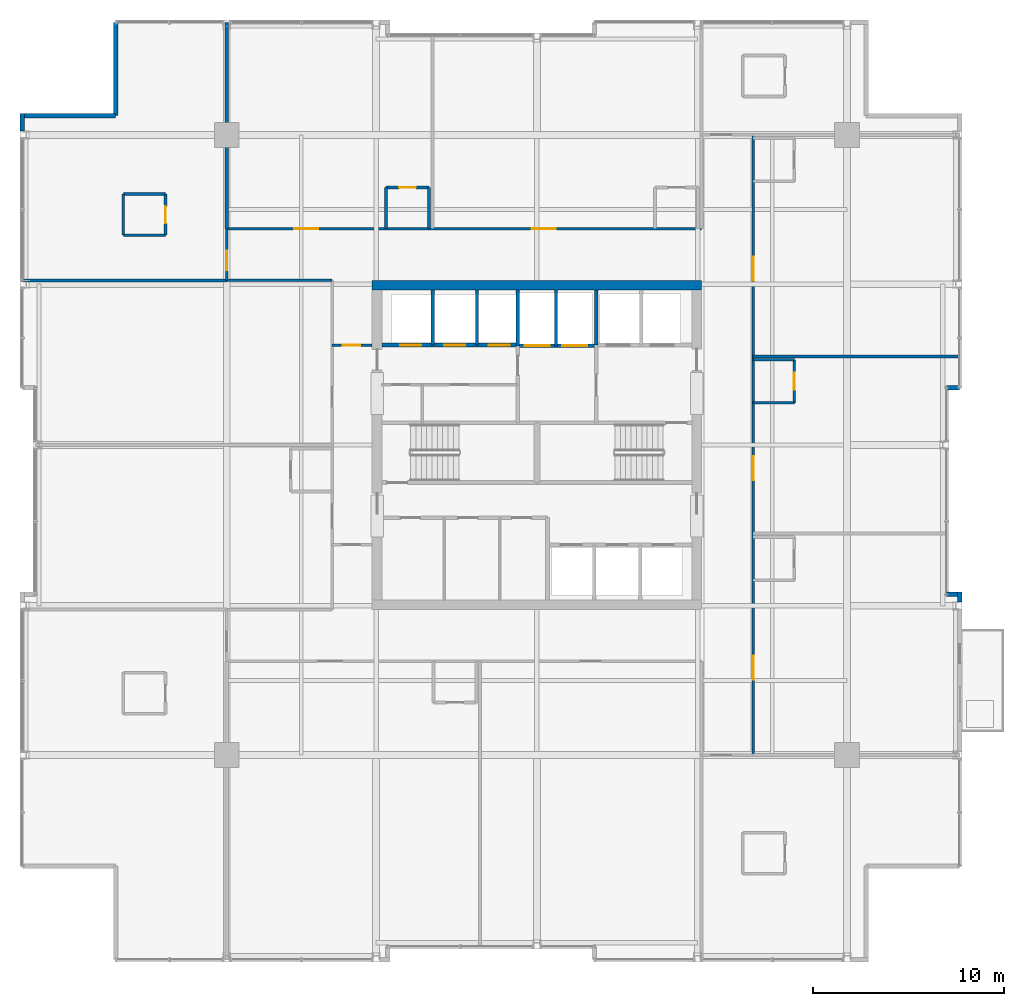
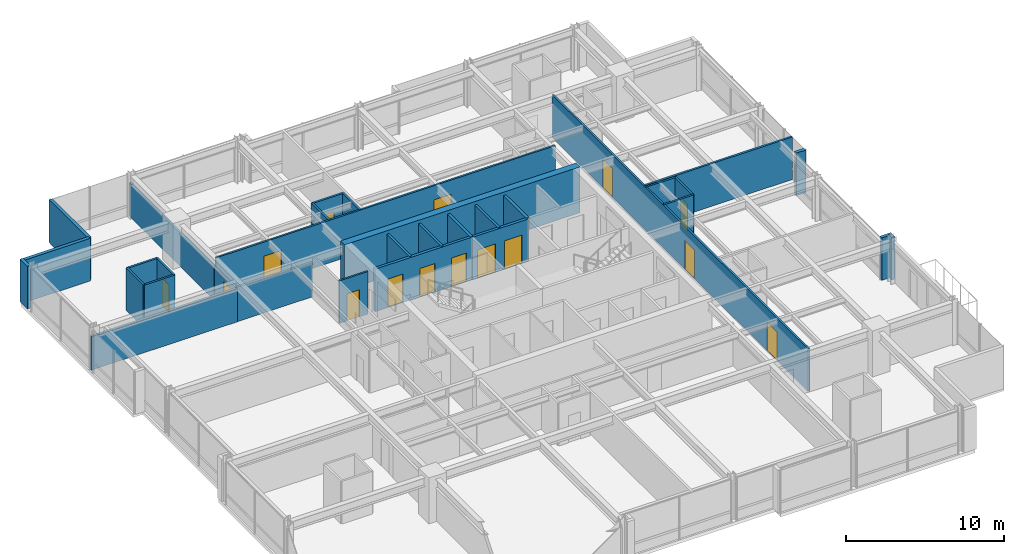
# One storey, part 29 of 32: 32 walls, 15 doors, 15 openings.
"""IFC4 building model written with IfcOpenShell, lengths in metres."""

import ifcopenshell
import ifcopenshell.guid

model = None  # the IFC model being written
_history = None  # IfcOwnerHistory: only IFC2X3 demands one
_inside = {}  # id of a spatial element -> (the spatial element, [elements in it])
_under = {}  # id of a project, library or spatial element -> (it, [spatial elements below it])
_declared = {}  # id of a project -> (the project, [libraries it declares])
_typed = {}  # id of a type object -> (the type object, [elements of that type])
_made_of = {}  # id of a material, layer set ... -> (it, [elements and type objects made of it])


def new_model(schema):
    """Start an empty IFC model of exactly this schema.

    Asked for "IFC4X3", IfcOpenShell would pick the latest addendum, in which some entities
    have other attributes; the version numbers below select the first issue.
    IFC2X3 requires an IfcOwnerHistory on every rooted entity: one is made here for all.
    """
    global model, _history
    if schema == "IFC4X3":
        model = ifcopenshell.file(schema_version=(4, 3, 0, 0))
    else:
        model = ifcopenshell.file(schema=schema)
    _inside.clear()
    _under.clear()
    _declared.clear()
    _typed.clear()
    _made_of.clear()
    _history = None
    if model.schema == "IFC2X3":
        org = make("IfcOrganization", Name="unknown")
        user = make(
            "IfcPersonAndOrganization",
            ThePerson=make("IfcPerson", FamilyName="unknown"),
            TheOrganization=org,
        )
        app = make(
            "IfcApplication",
            ApplicationDeveloper=org,
            Version="unknown",
            ApplicationFullName="unknown",
            ApplicationIdentifier="unknown",
        )
        _history = make(
            "IfcOwnerHistory",
            OwningUser=user,
            OwningApplication=app,
            ChangeAction="ADDED",
            CreationDate=0,
        )
    return model


def make(cls, **values):
    """One entity of the class cls with the attributes given. An attribute that is None is left unset."""
    return model.create_entity(
        cls, **{name: value for name, value in values.items() if value is not None}
    )


def rooted(cls, **values):
    """An entity with a GlobalId (a new one), such as an element, a storey or a relation."""
    return make(cls, GlobalId=ifcopenshell.guid.new(), OwnerHistory=_history, **values)


def si_unit(unit_type, name, prefix=None):
    """IfcSIUnit, for example si_unit("LENGTHUNIT", "METRE", prefix="MILLI")."""
    return make("IfcSIUnit", UnitType=unit_type, Prefix=prefix, Name=name)


def assignment(units):
    """IfcUnitAssignment: the units of a project."""
    return None if units is None else make("IfcUnitAssignment", Units=units)


def point(xyz):
    """IfcCartesianPoint."""
    return None if xyz is None else make("IfcCartesianPoint", Coordinates=xyz)


def direction(xyz):
    """IfcDirection."""
    return None if xyz is None else make("IfcDirection", DirectionRatios=xyz)


def frame(location, z_axis=None, x_axis=None):
    """IfcAxis2Placement3D, a coordinate frame: its origin and axes. An axis left out is left unset."""
    return make(
        "IfcAxis2Placement3D",
        Location=point(location),
        Axis=direction(z_axis),
        RefDirection=direction(x_axis),
    )


def frame_2d(location, x_axis=None):
    """IfcAxis2Placement2D, a coordinate frame in the plane: its origin and x axis."""
    return make(
        "IfcAxis2Placement2D", Location=point(location), RefDirection=direction(x_axis)
    )


def origin():
    """The frame at (0, 0, 0) with its axes left unset."""
    return frame((0.0, 0.0, 0.0))


def place(relative_to, where):
    """IfcLocalPlacement: puts the frame where relative to a parent placement (None: the world)."""
    return make(
        "IfcLocalPlacement", PlacementRelTo=relative_to, RelativePlacement=where
    )


def context(
    kind, dimensions, precision=None, world=None, true_north=None, identifier=None
):
    """IfcGeometricRepresentationContext, for example the 3D "Model" context."""
    return make(
        "IfcGeometricRepresentationContext",
        ContextIdentifier=identifier,
        ContextType=kind,
        CoordinateSpaceDimension=dimensions,
        Precision=precision,
        WorldCoordinateSystem=world,
        TrueNorth=true_north,
    )


def subcontext(parent, identifier, kind, view, scale=None):
    """IfcGeometricRepresentationSubContext, for example "Body" below "Model"."""
    return make(
        "IfcGeometricRepresentationSubContext",
        ContextIdentifier=identifier,
        ContextType=kind,
        ParentContext=parent,
        TargetScale=scale,
        TargetView=view,
    )


def project(units=None, contexts=None):
    """IfcProject with its units and contexts."""
    return rooted(
        "IfcProject",
        Name="project",
        RepresentationContexts=contexts,
        UnitsInContext=assignment(units),
    )


def spatial(cls, under=None, at=None, **own):
    """A site, building, storey or space (cls), placed at a placement, below another one or the project."""
    s = rooted(cls, ObjectPlacement=at, **own)
    if under is not None:
        _under.setdefault(under.id(), (under, []))[1].append(s)
    return s


def profile(cls, at=None, kind="AREA", **sizes):
    """A parametric profile (cls). Its sizes go by their IFC names, for example OverallWidth=200.0."""
    return make(cls, ProfileType=kind, Position=at, **sizes)


def rectangle(**sizes):
    """IfcRectangleProfileDef."""
    return profile("IfcRectangleProfileDef", **sizes)


def extrude(swept, where, along, depth):
    """IfcExtrudedAreaSolid: the profile swept, set in the frame where, extruded along a direction by depth."""
    return make(
        "IfcExtrudedAreaSolid",
        SweptArea=swept,
        Position=where,
        ExtrudedDirection=direction(along),
        Depth=depth,
    )


def shape(context_of_items, identifier, shape_type, items):
    """IfcShapeRepresentation: the items that make up one representation, for example the "Body"."""
    return make(
        "IfcShapeRepresentation",
        ContextOfItems=context_of_items,
        RepresentationIdentifier=identifier,
        RepresentationType=shape_type,
        Items=items,
    )


def material(Name=None, Category=None):
    """IfcMaterial."""
    return make("IfcMaterial", Name=Name, Category=Category)


def layer(
    of_material, thickness, ventilated=None, Name=None, Category=None, Priority=None
):
    """IfcMaterialLayer: one layer of a wall or slab, of a material (None: an air gap)."""
    return make(
        "IfcMaterialLayer",
        Material=of_material,
        LayerThickness=thickness,
        IsVentilated=ventilated,
        Name=Name,
        Category=Category,
        Priority=Priority,
    )


def layer_set(layers, Name=None):
    """IfcMaterialLayerSet."""
    return make("IfcMaterialLayerSet", MaterialLayers=layers, LayerSetName=Name)


def made_of(thing, what):
    """Note that an element or type object is made of a material, layer set ...; save() writes the relation."""
    if what is not None:
        _made_of.setdefault(what.id(), (what, []))[1].append(thing)
    return thing


def type_object(cls, material=None, **own):
    """A type object (cls), such as IfcWallType, which elements share."""
    return made_of(rooted(cls, **own), material)


def element(
    cls,
    number,
    at=None,
    inside=None,
    cuts=None,
    type_object=None,
    material=None,
    context=None,
    identifier="Body",
    shape_type=None,
    held_by="IfcProductDefinitionShape",
    body=None,
    shapes=None,
    **own,
):
    """One element of the class cls, such as IfcWall. Its Tag is "e" and its number.

    at: its placement. inside: the storey or other place that contains it. cuts: it is an
    opening in that element (IfcRelVoidsElement). A single representation is given by context,
    identifier, shape_type and body (its items); several are given by shapes. held_by: the class
    of the entity that holds the representations. save() writes the other relations.
    """
    e = rooted(cls, Tag="e%d" % number, ObjectPlacement=at, **own)
    if body is not None:
        shapes = [shape(context, identifier, shape_type, body)]
    if shapes is not None:
        e.Representation = make(held_by, Representations=shapes)
    if inside is not None:
        _inside.setdefault(inside.id(), (inside, []))[1].append(e)
    if cuts is not None:
        rooted(
            "IfcRelVoidsElement", RelatingBuildingElement=cuts, RelatedOpeningElement=e
        )
    if type_object is not None:
        _typed.setdefault(type_object.id(), (type_object, []))[1].append(e)
    return made_of(e, material)


def fill(opening, filler):
    """IfcRelFillsElement: the door or window that sits in an opening."""
    return rooted(
        "IfcRelFillsElement",
        RelatingOpeningElement=opening,
        RelatedBuildingElement=filler,
    )


def aggregate(whole, parts):
    """IfcRelAggregates: a whole, such as a stair, and the parts it consists of."""
    return rooted("IfcRelAggregates", RelatingObject=whole, RelatedObjects=parts)


def save(model, path):
    """Write the relations noted so far, then the file.

    IfcRelAggregates (storeys below a building ...), IfcRelContainedInSpatialStructure (elements
    in a storey), IfcRelDefinesByType, IfcRelAssociatesMaterial and IfcRelDeclares: one each for
    every whole, place, type object, material and project.
    """
    for whole, parts in _under.values():
        aggregate(whole, parts)
    for where, things in _inside.values():
        rooted(
            "IfcRelContainedInSpatialStructure",
            RelatedElements=things,
            RelatingStructure=where,
        )
    for kind, things in _typed.values():
        rooted("IfcRelDefinesByType", RelatedObjects=things, RelatingType=kind)
    for what, things in _made_of.values():
        rooted("IfcRelAssociatesMaterial", RelatedObjects=things, RelatingMaterial=what)
    for by, libraries in _declared.values():
        rooted("IfcRelDeclares", RelatingContext=by, RelatedDefinitions=libraries)
    model.write(path)


model = new_model("IFC4")

# Units and contexts
model_context = context("Model", 3, precision=1e-05, world=origin(), true_north=direction((0.0, 1.0)))
body_context = subcontext(model_context, "Body", "Model", "MODEL_VIEW")
ifc_project = project(units=[si_unit("LENGTHUNIT", "METRE"), si_unit("AREAUNIT", "SQUARE_METRE"), si_unit("VOLUMEUNIT", "CUBIC_METRE"), si_unit("PLANEANGLEUNIT", "RADIAN"), si_unit("MASSUNIT", "GRAM", prefix="KILO")], contexts=[model_context])

# Site, building, storey
site_placement = place(None, origin())
site = spatial("IfcSite", under=ifc_project, at=site_placement, CompositionType="ELEMENT")
building_placement = place(site_placement, origin())
building = spatial("IfcBuilding", under=site, at=building_placement, Name="Drelvath Grand Hotel", CompositionType="ELEMENT")
storey_placement = place(building_placement, frame((0.0, 0.0, 164.60009765625)))
storey = spatial("IfcBuildingStorey", under=building, at=storey_placement, Name="L42", CompositionType="ELEMENT", Elevation=164.60009765625)

# Wall
ifc_material_1 = material(Name="Concrete C40/50", Category="concrete")
ifc_layer_1 = layer(ifc_material_1, 0.199951171875)
ifc_layer_set_1 = layer_set([ifc_layer_1], Name="Concrete C40/50")
wall_type_1 = type_object("IfcWallType", Name="Core Hoistway Fire Wall 200", PredefinedType="SOLIDWALL", material=ifc_layer_set_1)
wall_1_placement = place(storey_placement, frame((3.10009765625, 32.219970703125, 0.0), z_axis=(0.0, 0.0, 1.0), x_axis=(0.0, 1.0, 0.0)))
element("IfcWall", 1, at=wall_1_placement, inside=storey, type_object=wall_type_1, Name="L42 FSAE Hoistway West Wall", PredefinedType="SOLIDWALL", context=body_context, shape_type="SweptSolid", body=[
    extrude(rectangle(XDim=2.880126953125, YDim=0.199951171875, at=frame_2d((1.43994140625, 0.0))), origin(), (0.0, 0.0, 1.0), 3.289794921875),
])

# Wall, openings, doors
wall_2_placement = place(storey_placement, frame((-1.0, 32.179931640625, 0.0), z_axis=(0.0, 0.0, 1.0), x_axis=(1.0, 0.0, 0.0)))
wall_2 = element("IfcWall", 2, at=wall_2_placement, inside=storey, type_object=wall_type_1, Name="L42 Service Lift Hoistway Wall", PredefinedType="SOLIDWALL", context=body_context, shape_type="SweptSolid", body=[
    extrude(rectangle(XDim=4.10009765625, YDim=0.199951171875, at=frame_2d((2.050048828125, 0.0))), origin(), (0.0, 0.0, 1.0), 3.289794921875),
])
opening_1_placement = place(wall_2_placement, frame((0.3701171875, 0.0, 0.0)))
opening_1 = element("IfcOpeningElement", 3, at=opening_1_placement, cuts=wall_2, Name="Opening LD-SV-2", PredefinedType="OPENING", context=body_context, shape_type="SweptSolid", body=[
    extrude(rectangle(XDim=1.300048828125, YDim=2.199951171875, at=frame_2d((0.64990234375, 1.10009765625))), frame((0.0, 0.10986328125, 0.0), z_axis=(0.0, -1.0, 0.0), x_axis=(1.0, 0.0, 0.0)), (0.0, 0.0, 1.0), 0.219970703125),
])
opening_2_placement = place(wall_2_placement, frame((2.330078125, 0.0, 0.0)))
opening_2 = element("IfcOpeningElement", 4, at=opening_2_placement, cuts=wall_2, Name="Opening LD-SV-1", PredefinedType="OPENING", context=body_context, shape_type="SweptSolid", body=[
    extrude(rectangle(XDim=1.300048828125, YDim=2.199951171875, at=frame_2d((0.64990234375, 1.10009765625))), frame((0.0, 0.10986328125, 0.0), z_axis=(0.0, -1.0, 0.0), x_axis=(1.0, 0.0, 0.0)), (0.0, 0.0, 1.0), 0.219970703125),
])
ifc_material_2 = material(Name="Stainless Steel S355", Category="steel")
door_type_1 = type_object("IfcDoorType", Name="Service Lift Sliding Landing Door 1300x2200", OperationType="NOTDEFINED", PredefinedType="DOOR", material=ifc_material_2)
door_1_placement = place(opening_1_placement, origin())
door_1 = element("IfcDoor", 5, at=door_1_placement, inside=storey, type_object=door_type_1, Name="L42 Lift SV-2 Landing Door", OperationType="SLIDING_TO_LEFT", OverallHeight=2.199951171875, OverallWidth=1.300048828125, PredefinedType="DOOR", context=body_context, shape_type="SweptSolid", body=[
    extrude(rectangle(XDim=1.300048828125, YDim=2.199951171875, at=frame_2d((0.64990234375, 1.10009765625))), frame((0.0, 0.02490234375, 0.0), z_axis=(0.0, -1.0, 0.0), x_axis=(1.0, 0.0, 0.0)), (0.0, 0.0, 1.0), 0.050048828125),
])
fill(opening_1, door_1)
door_2_placement = place(opening_2_placement, origin())
door_2 = element("IfcDoor", 6, at=door_2_placement, inside=storey, type_object=door_type_1, Name="L42 Lift SV-1 Landing Door", OperationType="SLIDING_TO_LEFT", OverallHeight=2.199951171875, OverallWidth=1.300048828125, PredefinedType="DOOR", context=body_context, shape_type="SweptSolid", body=[
    extrude(rectangle(XDim=1.300048828125, YDim=2.199951171875, at=frame_2d((0.64990234375, 1.10009765625))), frame((0.0, 0.02490234375, 0.0), z_axis=(0.0, -1.0, 0.0), x_axis=(1.0, 0.0, 0.0)), (0.0, 0.0, 1.0), 0.050048828125),
])
fill(opening_2, door_2)

# Wall
wall_3_placement = place(storey_placement, frame((-1.0, 32.179931640625, 0.0), z_axis=(0.0, 0.0, 1.0), x_axis=(0.0, 1.0, 0.0)))
element("IfcWall", 7, at=wall_3_placement, inside=storey, type_object=wall_type_1, Name="L42 Service Lift West Wall", PredefinedType="SOLIDWALL", context=body_context, shape_type="SweptSolid", body=[
    extrude(rectangle(XDim=2.920166015625, YDim=0.199951171875, at=frame_2d((1.4599609375, 0.0))), origin(), (0.0, 0.0, 1.0), 3.289794921875),
])

# Wall, openings, doors
wall_4_placement = place(storey_placement, frame((-8.10009765625, 32.219970703125, 0.0), z_axis=(0.0, 0.0, 1.0), x_axis=(1.0, 0.0, 0.0)))
wall_4 = element("IfcWall", 8, at=wall_4_placement, inside=storey, type_object=wall_type_1, Name="L42 Bank 3 Hoistway Wall", PredefinedType="SOLIDWALL", context=body_context, shape_type="SweptSolid", body=[
    extrude(rectangle(XDim=7.10009765625, YDim=0.199951171875, at=frame_2d((3.550048828125, 0.0))), origin(), (0.0, 0.0, 1.0), 3.289794921875),
])
opening_3_placement = place(wall_4_placement, frame((0.949951171875, 0.0, 0.0)))
opening_3 = element("IfcOpeningElement", 9, at=opening_3_placement, cuts=wall_4, Name="Opening LD-PE-7", PredefinedType="OPENING", context=body_context, shape_type="SweptSolid", body=[
    extrude(rectangle(XDim=1.10009765625, YDim=2.199951171875, at=frame_2d((0.550048828125, 1.10009765625))), frame((0.0, 0.10986328125, 0.0), z_axis=(0.0, -1.0, 0.0), x_axis=(1.0, 0.0, 0.0)), (0.0, 0.0, 1.0), 0.219970703125),
])
opening_4_placement = place(wall_4_placement, frame((3.27001953125, 0.0, 0.0)))
opening_4 = element("IfcOpeningElement", 10, at=opening_4_placement, cuts=wall_4, Name="Opening LD-PE-8", PredefinedType="OPENING", context=body_context, shape_type="SweptSolid", body=[
    extrude(rectangle(XDim=1.10009765625, YDim=2.199951171875, at=frame_2d((0.550048828125, 1.10009765625))), frame((0.0, 0.10986328125, 0.0), z_axis=(0.0, -1.0, 0.0), x_axis=(1.0, 0.0, 0.0)), (0.0, 0.0, 1.0), 0.219970703125),
])
opening_5_placement = place(wall_4_placement, frame((5.590087890625, 0.0, 0.0)))
opening_5 = element("IfcOpeningElement", 11, at=opening_5_placement, cuts=wall_4, Name="Opening LD-PE-9", PredefinedType="OPENING", context=body_context, shape_type="SweptSolid", body=[
    extrude(rectangle(XDim=1.10009765625, YDim=2.199951171875, at=frame_2d((0.550048828125, 1.10009765625))), frame((0.0, 0.10986328125, 0.0), z_axis=(0.0, -1.0, 0.0), x_axis=(1.0, 0.0, 0.0)), (0.0, 0.0, 1.0), 0.219970703125),
])
door_type_2 = type_object("IfcDoorType", Name="Passenger Lift Sliding Landing Door 1100x2200", OperationType="NOTDEFINED", PredefinedType="DOOR", material=ifc_material_2)
door_3_placement = place(opening_3_placement, origin())
door_3 = element("IfcDoor", 12, at=door_3_placement, inside=storey, type_object=door_type_2, Name="L42 Lift PE-7 Landing Door", OperationType="SLIDING_TO_LEFT", OverallHeight=2.199951171875, OverallWidth=1.10009765625, PredefinedType="DOOR", context=body_context, shape_type="SweptSolid", body=[
    extrude(rectangle(XDim=1.10009765625, YDim=2.199951171875, at=frame_2d((0.550048828125, 1.10009765625))), frame((0.0, 0.02490234375, 0.0), z_axis=(0.0, -1.0, 0.0), x_axis=(1.0, 0.0, 0.0)), (0.0, 0.0, 1.0), 0.050048828125),
])
fill(opening_3, door_3)
door_4_placement = place(opening_4_placement, origin())
door_4 = element("IfcDoor", 13, at=door_4_placement, inside=storey, type_object=door_type_2, Name="L42 Lift PE-8 Landing Door", OperationType="SLIDING_TO_LEFT", OverallHeight=2.199951171875, OverallWidth=1.10009765625, PredefinedType="DOOR", context=body_context, shape_type="SweptSolid", body=[
    extrude(rectangle(XDim=1.10009765625, YDim=2.199951171875, at=frame_2d((0.550048828125, 1.10009765625))), frame((0.0, 0.02490234375, 0.0), z_axis=(0.0, -1.0, 0.0), x_axis=(1.0, 0.0, 0.0)), (0.0, 0.0, 1.0), 0.050048828125),
])
fill(opening_4, door_4)
door_5_placement = place(opening_5_placement, origin())
door_5 = element("IfcDoor", 14, at=door_5_placement, inside=storey, type_object=door_type_2, Name="L42 Lift PE-9 Landing Door", OperationType="SLIDING_TO_LEFT", OverallHeight=2.199951171875, OverallWidth=1.10009765625, PredefinedType="DOOR", context=body_context, shape_type="SweptSolid", body=[
    extrude(rectangle(XDim=1.10009765625, YDim=2.199951171875, at=frame_2d((0.550048828125, 1.10009765625))), frame((0.0, 0.02490234375, 0.0), z_axis=(0.0, -1.0, 0.0), x_axis=(1.0, 0.0, 0.0)), (0.0, 0.0, 1.0), 0.050048828125),
])
fill(opening_5, door_5)

# Walls
ifc_material_3 = material(Name="Gypsum Fireboard Partition")
ifc_layer_2 = layer(ifc_material_3, 0.1650390625)
ifc_layer_set_2 = layer_set([ifc_layer_2], Name="Gypsum Fireboard Partition")
wall_type_2 = type_object("IfcWallType", Name="Core Shaft Partition 165", PredefinedType="PARTITIONING", material=ifc_layer_set_2)
wall_5_placement = place(storey_placement, frame((1.0, 32.179931640625, 0.0), z_axis=(0.0, 0.0, 1.0), x_axis=(0.0, 1.0, 0.0)))
element("IfcWall", 15, at=wall_5_placement, inside=storey, type_object=wall_type_2, Name="L42 Service Lift Divider", PredefinedType="PARTITIONING", context=body_context, shape_type="SweptSolid", body=[
    extrude(rectangle(XDim=2.920166015625, YDim=0.1650390625, at=frame_2d((1.4599609375, 0.0))), origin(), (0.0, 0.0, 1.0), 3.289794921875),
])
for number, where, z_axis, x_axis, name in (
    (16, (-5.43994140625, 32.219970703125, 0.0), (0.0, 0.0, 1.0), (0.0, 1.0, 0.0), "L42 Lift PE-7/8 Divider"),
    (17, (-3.1201171875, 32.219970703125, 0.0), (0.0, 0.0, 1.0), (0.0, 1.0, 0.0), "L42 Lift PE-8/9 Divider"),
):
    element("IfcWall", number, at=place(storey_placement, frame(where, z_axis=z_axis, x_axis=x_axis)), inside=storey, type_object=wall_type_2, Name=name, PredefinedType="PARTITIONING", context=body_context, shape_type="SweptSolid", body=[
        extrude(rectangle(XDim=2.880126953125, YDim=0.1650390625, at=frame_2d((1.43994140625, 0.0))), origin(), (0.0, 0.0, 1.0), 3.289794921875),
    ])

# Wall, opening, door
ifc_layer_3 = layer(ifc_material_3, 0.135009765625)
ifc_layer_set_3 = layer_set([ifc_layer_3], Name="Gypsum Fireboard Partition")
wall_type_3 = type_object("IfcWallType", Name="Corridor Fire Barrier Wall 135", PredefinedType="PARTITIONING", material=ifc_layer_set_3)
wall_6_placement = place(storey_placement, frame((-10.699951171875, 32.199951171875, 0.0), z_axis=(0.0, 0.0, 1.0), x_axis=(1.0, 0.0, 0.0)))
wall_6 = element("IfcWall", 18, at=wall_6_placement, inside=storey, type_object=wall_type_3, Name="L42 West Foyer North Wall", PredefinedType="PARTITIONING", context=body_context, shape_type="SweptSolid", body=[
    extrude(rectangle(XDim=2.099853515625, YDim=0.135009765625, at=frame_2d((1.0498046875, 0.0))), origin(), (0.0, 0.0, 1.0), 3.289794921875),
])
opening_6_placement = place(wall_6_placement, frame((0.550048828125, 0.0, 0.0)))
opening_6 = element("IfcOpeningElement", 19, at=opening_6_placement, cuts=wall_6, Name="Opening D-T3G2-025", PredefinedType="OPENING", context=body_context, shape_type="SweptSolid", body=[
    extrude(rectangle(XDim=0.919921875, YDim=2.10009765625, at=frame_2d((0.4599609375, 1.050048828125))), frame((0.0, 0.077392578125, 0.0), z_axis=(0.0, -1.0, 0.0), x_axis=(1.0, 0.0, 0.0)), (0.0, 0.0, 1.0), 0.155029296875),
])
ifc_material_4 = material(Name="Painted Steel S275", Category="steel")
door_type_3 = type_object("IfcDoorType", Name="Staff Utility Door 920x2100", OperationType="NOTDEFINED", PredefinedType="DOOR", material=ifc_material_4)
door_6_placement = place(opening_6_placement, origin())
door_6 = element("IfcDoor", 20, at=door_6_placement, inside=storey, type_object=door_type_3, Name="L42 West Pantry Door", OperationType="SINGLE_SWING_LEFT", OverallHeight=2.10009765625, OverallWidth=0.919921875, PredefinedType="DOOR", context=body_context, shape_type="SweptSolid", body=[
    extrude(rectangle(XDim=0.919921875, YDim=2.10009765625, at=frame_2d((0.4599609375, 1.050048828125))), frame((0.0, 0.02490234375, 0.0), z_axis=(0.0, -1.0, 0.0), x_axis=(1.0, 0.0, 0.0)), (0.0, 0.0, 1.0), 0.050048828125),
])
fill(opening_6, door_6)

# Wall
wall_7_placement = place(storey_placement, frame((-16.199951171875, 35.60009765625, 0.0), z_axis=(0.0, 0.0, 1.0), x_axis=(1.0, 0.0, 0.0)))
element("IfcWall", 21, at=wall_7_placement, inside=storey, type_object=wall_type_3, Name="L42 NW Stub South Wall", PredefinedType="PARTITIONING", context=body_context, shape_type="SweptSolid", body=[
    extrude(rectangle(XDim=5.5, YDim=0.135009765625, at=frame_2d((2.75, 0.0))), origin(), (0.0, 0.0, 1.0), 2.667236328125),
])

# Wall, openings, doors
wall_8_placement = place(storey_placement, frame((-16.199951171875, 38.300048828125, 0.0), z_axis=(0.0, 0.0, 1.0), x_axis=(1.0, 0.0, 0.0)))
wall_8 = element("IfcWall", 22, at=wall_8_placement, inside=storey, type_object=wall_type_3, Name="L42 North Stub Corridor Wall", PredefinedType="PARTITIONING", context=body_context, shape_type="SweptSolid", body=[
    extrude(rectangle(XDim=24.800048828125, YDim=0.135009765625, at=frame_2d((12.39990234375, 0.0))), origin(), (0.0, 0.0, 1.0), 3.289794921875),
])
opening_7_placement = place(wall_8_placement, frame((3.5283203125, 0.0, 0.0)))
opening_7 = element("IfcOpeningElement", 23, at=opening_7_placement, cuts=wall_8, Name="Opening D-T3G2-038", PredefinedType="OPENING", context=body_context, shape_type="SweptSolid", body=[
    extrude(rectangle(XDim=1.260009765625, YDim=2.199951171875, at=frame_2d((0.6298828125, 1.10009765625))), frame((0.0, 0.077392578125, 0.0), z_axis=(0.0, -1.0, 0.0), x_axis=(1.0, 0.0, 0.0)), (0.0, 0.0, 1.0), 0.155029296875),
])
opening_8_placement = place(wall_8_placement, frame((15.928466796875, 0.0, 0.0)))
opening_8 = element("IfcOpeningElement", 24, at=opening_8_placement, cuts=wall_8, Name="Opening D-T3G2-040", PredefinedType="OPENING", context=body_context, shape_type="SweptSolid", body=[
    extrude(rectangle(XDim=1.260009765625, YDim=2.199951171875, at=frame_2d((0.6298828125, 1.10009765625))), frame((0.0, 0.077392578125, 0.0), z_axis=(0.0, -1.0, 0.0), x_axis=(1.0, 0.0, 0.0)), (0.0, 0.0, 1.0), 0.155029296875),
])
ifc_material_5 = material(Name="Hardwood Walnut Timber", Category="wood")
door_type_4 = type_object("IfcDoorType", Name="Suite Entrance Fire Door 1260x2200", OperationType="NOTDEFINED", PredefinedType="DOOR", material=ifc_material_5)
door_7_placement = place(opening_7_placement, origin())
door_7 = element("IfcDoor", 25, at=door_7_placement, inside=storey, type_object=door_type_4, Name="L42 Executive Suite Entry Door", OperationType="SINGLE_SWING_RIGHT", OverallHeight=2.199951171875, OverallWidth=1.260009765625, PredefinedType="DOOR", context=body_context, shape_type="SweptSolid", body=[
    extrude(rectangle(XDim=1.260009765625, YDim=2.199951171875, at=frame_2d((0.6298828125, 1.10009765625))), frame((0.0, 0.02490234375, 0.0), z_axis=(0.0, -1.0, 0.0), x_axis=(1.0, 0.0, 0.0)), (0.0, 0.0, 1.0), 0.050048828125),
])
fill(opening_7, door_7)
door_8_placement = place(opening_8_placement, origin())
door_8 = element("IfcDoor", 26, at=door_8_placement, inside=storey, type_object=door_type_4, Name="L42 Executive Suite Entry Door", OperationType="SINGLE_SWING_RIGHT", OverallHeight=2.199951171875, OverallWidth=1.260009765625, PredefinedType="DOOR", context=body_context, shape_type="SweptSolid", body=[
    extrude(rectangle(XDim=1.260009765625, YDim=2.199951171875, at=frame_2d((0.6298828125, 1.10009765625))), frame((0.0, 0.02490234375, 0.0), z_axis=(0.0, -1.0, 0.0), x_axis=(1.0, 0.0, 0.0)), (0.0, 0.0, 1.0), 0.050048828125),
])
fill(opening_8, door_8)

wall_9_placement = place(storey_placement, frame((11.300048828125, 10.800048828125, 0.0), z_axis=(0.0, 0.0, 1.0), x_axis=(0.0, 1.0, 0.0)))
wall_9 = element("IfcWall", 27, at=wall_9_placement, inside=storey, type_object=wall_type_3, Name="L42 East Spine Corridor Wall", PredefinedType="PARTITIONING", context=body_context, shape_type="SweptSolid", body=[
    extrude(rectangle(XDim=32.39990234375, YDim=0.135009765625, at=frame_2d((16.199951171875, 0.0))), origin(), (0.0, 0.0, 1.0), 3.289794921875),
])
opening_9_placement = place(wall_9_placement, frame((3.940673828125, 0.0, 0.0)))
opening_9 = element("IfcOpeningElement", 28, at=opening_9_placement, cuts=wall_9, Name="Opening D-T3G2-042", PredefinedType="OPENING", context=body_context, shape_type="SweptSolid", body=[
    extrude(rectangle(XDim=1.260009765625, YDim=2.199951171875, at=frame_2d((0.6298828125, 1.10009765625))), frame((0.0, 0.077392578125, 0.0), z_axis=(0.0, -1.0, 0.0), x_axis=(1.0, 0.0, 0.0)), (0.0, 0.0, 1.0), 0.155029296875),
])
opening_10_placement = place(wall_9_placement, frame((14.35498046875, 0.0, 0.0)))
opening_10 = element("IfcOpeningElement", 29, at=opening_10_placement, cuts=wall_9, Name="Opening D-T3G2-044", PredefinedType="OPENING", context=body_context, shape_type="SweptSolid", body=[
    extrude(rectangle(XDim=1.260009765625, YDim=2.199951171875, at=frame_2d((0.6298828125, 1.10009765625))), frame((0.0, 0.077392578125, 0.0), z_axis=(0.0, -1.0, 0.0), x_axis=(1.0, 0.0, 0.0)), (0.0, 0.0, 1.0), 0.155029296875),
])
opening_11_placement = place(wall_9_placement, frame((24.769287109375, 0.0, 0.0)))
opening_11 = element("IfcOpeningElement", 30, at=opening_11_placement, cuts=wall_9, Name="Opening D-T3G2-046", PredefinedType="OPENING", context=body_context, shape_type="SweptSolid", body=[
    extrude(rectangle(XDim=1.260009765625, YDim=2.199951171875, at=frame_2d((0.6298828125, 1.10009765625))), frame((0.0, 0.077392578125, 0.0), z_axis=(0.0, -1.0, 0.0), x_axis=(1.0, 0.0, 0.0)), (0.0, 0.0, 1.0), 0.155029296875),
])
door_9_placement = place(opening_9_placement, origin())
door_9 = element("IfcDoor", 31, at=door_9_placement, inside=storey, type_object=door_type_4, Name="L42 Executive Suite Entry Door", OperationType="SINGLE_SWING_RIGHT", OverallHeight=2.199951171875, OverallWidth=1.260009765625, PredefinedType="DOOR", context=body_context, shape_type="SweptSolid", body=[
    extrude(rectangle(XDim=1.260009765625, YDim=2.199951171875, at=frame_2d((0.6298828125, 1.10009765625))), frame((0.0, 0.02490234375, 0.0), z_axis=(0.0, -1.0, 0.0), x_axis=(1.0, 0.0, 0.0)), (0.0, 0.0, 1.0), 0.050048828125),
])
fill(opening_9, door_9)
door_10_placement = place(opening_10_placement, origin())
door_10 = element("IfcDoor", 32, at=door_10_placement, inside=storey, type_object=door_type_4, Name="L42 Executive Suite Entry Door", OperationType="SINGLE_SWING_RIGHT", OverallHeight=2.199951171875, OverallWidth=1.260009765625, PredefinedType="DOOR", context=body_context, shape_type="SweptSolid", body=[
    extrude(rectangle(XDim=1.260009765625, YDim=2.199951171875, at=frame_2d((0.6298828125, 1.10009765625))), frame((0.0, 0.02490234375, 0.0), z_axis=(0.0, -1.0, 0.0), x_axis=(1.0, 0.0, 0.0)), (0.0, 0.0, 1.0), 0.050048828125),
])
fill(opening_10, door_10)
door_11_placement = place(opening_11_placement, origin())
door_11 = element("IfcDoor", 33, at=door_11_placement, inside=storey, type_object=door_type_4, Name="L42 Executive Suite Entry Door", OperationType="SINGLE_SWING_RIGHT", OverallHeight=2.199951171875, OverallWidth=1.260009765625, PredefinedType="DOOR", context=body_context, shape_type="SweptSolid", body=[
    extrude(rectangle(XDim=1.260009765625, YDim=2.199951171875, at=frame_2d((0.6298828125, 1.10009765625))), frame((0.0, 0.02490234375, 0.0), z_axis=(0.0, -1.0, 0.0), x_axis=(1.0, 0.0, 0.0)), (0.0, 0.0, 1.0), 0.050048828125),
])
fill(opening_11, door_11)

# Wall, opening, door
wall_10_placement = place(storey_placement, frame((-16.199951171875, 35.60009765625, 0.0), z_axis=(0.0, 0.0, 1.0), x_axis=(0.0, 1.0, 0.0)))
wall_10 = element("IfcWall", 34, at=wall_10_placement, inside=storey, type_object=wall_type_3, Name="L42 North Stub West End", PredefinedType="PARTITIONING", context=body_context, shape_type="SweptSolid", body=[
    extrude(rectangle(XDim=2.699951171875, YDim=0.135009765625, at=frame_2d((1.35009765625, 0.0))), origin(), (0.0, 0.0, 1.0), 2.579345703125),
])
opening_12_placement = place(wall_10_placement, frame((0.52001953125, 0.0, 0.0)))
opening_12 = element("IfcOpeningElement", 35, at=opening_12_placement, cuts=wall_10, Name="Opening D-T3G2-029", PredefinedType="OPENING", context=body_context, shape_type="SweptSolid", body=[
    extrude(rectangle(XDim=1.02001953125, YDim=2.14990234375, at=frame_2d((0.510009765625, 1.074951171875))), frame((0.0, 0.077392578125, 0.0), z_axis=(0.0, -1.0, 0.0), x_axis=(1.0, 0.0, 0.0)), (0.0, 0.0, 1.0), 0.155029296875),
])
door_type_5 = type_object("IfcDoorType", Name="Amenity Meeting Fire Door 1020x2150", OperationType="NOTDEFINED", PredefinedType="DOOR", material=ifc_material_5)
door_12_placement = place(opening_12_placement, origin())
door_12 = element("IfcDoor", 36, at=door_12_placement, inside=storey, type_object=door_type_5, Name="L42 Executive Suite Entry Door", OperationType="SINGLE_SWING_LEFT", OverallHeight=2.14990234375, OverallWidth=1.02001953125, PredefinedType="DOOR", context=body_context, shape_type="SweptSolid", body=[
    extrude(rectangle(XDim=1.02001953125, YDim=2.14990234375, at=frame_2d((0.510009765625, 1.074951171875))), frame((0.0, 0.02490234375, 0.0), z_axis=(0.0, -1.0, 0.0), x_axis=(1.0, 0.0, 0.0)), (0.0, 0.0, 1.0), 0.050048828125),
])
fill(opening_12, door_12)

# Walls
ifc_material_6 = material(Name="Moisture-Resistant Gypsum Board")
ifc_layer_4 = layer(ifc_material_6, 0.139892578125)
ifc_layer_set_4 = layer_set([ifc_layer_4], Name="Moisture-Resistant Gypsum Board")
wall_type_4 = type_object("IfcWallType", Name="En-Suite Plumbing Wall 140", PredefinedType="PLUMBINGWALL", material=ifc_layer_set_4)
for number, where, z_axis, x_axis, name in (
    (37, (-21.60009765625, 37.9599609375, 0.0), (0.0, 0.0, 1.0), (1.0, 0.0, 0.0), "L42 Corner En-Suite South"),
    (38, (-21.60009765625, 40.110107421875, 0.0), (0.0, 0.0, 1.0), (1.0, 0.0, 0.0), "L42 Corner En-Suite North"),
):
    element("IfcWall", number, at=place(storey_placement, frame(where, z_axis=z_axis, x_axis=x_axis)), inside=storey, type_object=wall_type_4, Name=name, PredefinedType="PLUMBINGWALL", context=body_context, shape_type="SweptSolid", body=[
        extrude(rectangle(XDim=2.2001953125, YDim=0.139892578125, at=frame_2d((1.10009765625, 0.0))), origin(), (0.0, 0.0, 1.0), 3.289794921875),
    ])
wall_11_placement = place(storey_placement, frame((-21.60009765625, 37.9599609375, 0.0), z_axis=(0.0, 0.0, 1.0), x_axis=(0.0, 1.0, 0.0)))
element("IfcWall", 39, at=wall_11_placement, inside=storey, type_object=wall_type_4, Name="L42 Corner En-Suite West", PredefinedType="PLUMBINGWALL", context=body_context, shape_type="SweptSolid", body=[
    extrude(rectangle(XDim=2.150146484375, YDim=0.139892578125, at=frame_2d((1.0751953125, 0.0))), origin(), (0.0, 0.0, 1.0), 3.289794921875),
])

# Wall, opening, door
wall_12_placement = place(storey_placement, frame((-19.39990234375, 37.9599609375, 0.0), z_axis=(0.0, 0.0, 1.0), x_axis=(0.0, 1.0, 0.0)))
wall_12 = element("IfcWall", 40, at=wall_12_placement, inside=storey, type_object=wall_type_4, Name="L42 Corner En-Suite East", PredefinedType="PLUMBINGWALL", context=body_context, shape_type="SweptSolid", body=[
    extrude(rectangle(XDim=2.150146484375, YDim=0.139892578125, at=frame_2d((1.0751953125, 0.0))), origin(), (0.0, 0.0, 1.0), 3.289794921875),
])
opening_13_placement = place(wall_12_placement, frame((0.6201171875, 0.0, 0.0)))
opening_13 = element("IfcOpeningElement", 41, at=opening_13_placement, cuts=wall_12, Name="Opening D-T3G2-028", PredefinedType="OPENING", context=body_context, shape_type="SweptSolid", body=[
    extrude(rectangle(XDim=0.8798828125, YDim=2.10009765625, at=frame_2d((0.43994140625, 1.050048828125))), frame((0.0, 0.079833984375, 0.0), z_axis=(0.0, -1.0, 0.0), x_axis=(1.0, 0.0, 0.0)), (0.0, 0.0, 1.0), 0.159912109375),
])
door_type_6 = type_object("IfcDoorType", Name="En-Suite Bathroom Door 880x2100", OperationType="NOTDEFINED", PredefinedType="DOOR", material=ifc_material_5)
door_13_placement = place(opening_13_placement, origin())
door_13 = element("IfcDoor", 42, at=door_13_placement, inside=storey, type_object=door_type_6, Name="L42 Corner En-Suite Door", OperationType="SINGLE_SWING_RIGHT", OverallHeight=2.10009765625, OverallWidth=0.8798828125, PredefinedType="DOOR", context=body_context, shape_type="SweptSolid", body=[
    extrude(rectangle(XDim=0.8798828125, YDim=2.10009765625, at=frame_2d((0.43994140625, 1.050048828125))), frame((0.0, 0.02490234375, 0.0), z_axis=(0.0, -1.0, 0.0), x_axis=(1.0, 0.0, 0.0)), (0.0, 0.0, 1.0), 0.050048828125),
])
fill(opening_13, door_13)

# Walls
for number, where, z_axis, x_axis, name in (
    (43, (-7.88330078125, 38.300048828125, 0.0), (0.0, 0.0, 1.0), (0.0, 1.0, 0.0), "L42 En-Suite Left Wall"),
    (44, (-5.63330078125, 38.300048828125, 0.0), (0.0, 0.0, 1.0), (0.0, 1.0, 0.0), "L42 En-Suite Right Wall"),
):
    element("IfcWall", number, at=place(storey_placement, frame(where, z_axis=z_axis, x_axis=x_axis)), inside=storey, type_object=wall_type_4, Name=name, PredefinedType="PLUMBINGWALL", context=body_context, shape_type="SweptSolid", body=[
        extrude(rectangle(XDim=2.14990234375, YDim=0.139892578125, at=frame_2d((1.074951171875, 0.0))), origin(), (0.0, 0.0, 1.0), 3.289794921875),
    ])

# Wall, opening, door
wall_13_placement = place(storey_placement, frame((-7.88330078125, 40.449951171875, 0.0), z_axis=(0.0, 0.0, 1.0), x_axis=(1.0, 0.0, 0.0)))
wall_13 = element("IfcWall", 45, at=wall_13_placement, inside=storey, type_object=wall_type_4, Name="L42 En-Suite Front Wall", PredefinedType="PLUMBINGWALL", context=body_context, shape_type="SweptSolid", body=[
    extrude(rectangle(XDim=2.25, YDim=0.139892578125, at=frame_2d((1.125, 0.0))), origin(), (0.0, 0.0, 1.0), 3.289794921875),
])
opening_14_placement = place(wall_13_placement, frame((0.68505859375, 0.0, 0.0)))
opening_14 = element("IfcOpeningElement", 46, at=opening_14_placement, cuts=wall_13, Name="Opening D-T3G2-037", PredefinedType="OPENING", context=body_context, shape_type="SweptSolid", body=[
    extrude(rectangle(XDim=0.8798828125, YDim=2.10009765625, at=frame_2d((0.43994140625, 1.050048828125))), frame((0.0, 0.079833984375, 0.0), z_axis=(0.0, -1.0, 0.0), x_axis=(1.0, 0.0, 0.0)), (0.0, 0.0, 1.0), 0.159912109375),
])
door_14_placement = place(opening_14_placement, origin())
door_14 = element("IfcDoor", 47, at=door_14_placement, inside=storey, type_object=door_type_6, Name="L42 En-Suite Bathroom Door", OperationType="SINGLE_SWING_LEFT", OverallHeight=2.10009765625, OverallWidth=0.8798828125, PredefinedType="DOOR", context=body_context, shape_type="SweptSolid", body=[
    extrude(rectangle(XDim=0.8798828125, YDim=2.10009765625, at=frame_2d((0.43994140625, 1.050048828125))), frame((0.0, 0.02490234375, 0.0), z_axis=(0.0, -1.0, 0.0), x_axis=(1.0, 0.0, 0.0)), (0.0, 0.0, 1.0), 0.050048828125),
])
fill(opening_14, door_14)

# Walls
for number, where, z_axis, x_axis, name in (
    (48, (11.300048828125, 29.198486328125, 0.0), (0.0, 0.0, 1.0), (1.0, 0.0, 0.0), "L42 En-Suite Left Wall"),
    (49, (11.300048828125, 31.448486328125, 0.0), (0.0, 0.0, 1.0), (1.0, 0.0, 0.0), "L42 En-Suite Right Wall"),
):
    element("IfcWall", number, at=place(storey_placement, frame(where, z_axis=z_axis, x_axis=x_axis)), inside=storey, type_object=wall_type_4, Name=name, PredefinedType="PLUMBINGWALL", context=body_context, shape_type="SweptSolid", body=[
        extrude(rectangle(XDim=2.14990234375, YDim=0.139892578125, at=frame_2d((1.074951171875, 0.0))), origin(), (0.0, 0.0, 1.0), 3.289794921875),
    ])

# Wall, opening, door
wall_14_placement = place(storey_placement, frame((13.449951171875, 29.198486328125, 0.0), z_axis=(0.0, 0.0, 1.0), x_axis=(0.0, 1.0, 0.0)))
wall_14 = element("IfcWall", 50, at=wall_14_placement, inside=storey, type_object=wall_type_4, Name="L42 En-Suite Front Wall", PredefinedType="PLUMBINGWALL", context=body_context, shape_type="SweptSolid", body=[
    extrude(rectangle(XDim=2.25, YDim=0.139892578125, at=frame_2d((1.125, 0.0))), origin(), (0.0, 0.0, 1.0), 3.289794921875),
])
opening_15_placement = place(wall_14_placement, frame((0.68505859375, 0.0, 0.0)))
opening_15 = element("IfcOpeningElement", 51, at=opening_15_placement, cuts=wall_14, Name="Opening D-T3G2-043", PredefinedType="OPENING", context=body_context, shape_type="SweptSolid", body=[
    extrude(rectangle(XDim=0.8798828125, YDim=2.10009765625, at=frame_2d((0.43994140625, 1.050048828125))), frame((0.0, 0.079833984375, 0.0), z_axis=(0.0, -1.0, 0.0), x_axis=(1.0, 0.0, 0.0)), (0.0, 0.0, 1.0), 0.159912109375),
])
door_15_placement = place(opening_15_placement, origin())
door_15 = element("IfcDoor", 52, at=door_15_placement, inside=storey, type_object=door_type_6, Name="L42 En-Suite Bathroom Door", OperationType="SINGLE_SWING_LEFT", OverallHeight=2.10009765625, OverallWidth=0.8798828125, PredefinedType="DOOR", context=body_context, shape_type="SweptSolid", body=[
    extrude(rectangle(XDim=0.8798828125, YDim=2.10009765625, at=frame_2d((0.43994140625, 1.050048828125))), frame((0.0, 0.02490234375, 0.0), z_axis=(0.0, -1.0, 0.0), x_axis=(1.0, 0.0, 0.0)), (0.0, 0.0, 1.0), 0.050048828125),
])
fill(opening_15, door_15)

# Walls
ifc_material_7 = material(Name="Gypsum Acoustic Partition")
ifc_layer_5 = layer(ifc_material_7, 0.14990234375)
ifc_layer_set_5 = layer_set([ifc_layer_5], Name="Gypsum Acoustic Partition")
wall_type_5 = type_object("IfcWallType", Name="Guestroom Demising Wall 150", PredefinedType="PARTITIONING", material=ifc_layer_set_5)
wall_15_placement = place(storey_placement, frame((11.300048828125, 31.628662109375, 0.0), z_axis=(0.0, 0.0, 1.0), x_axis=(1.0, 0.0, 0.0)))
element("IfcWall", 53, at=wall_15_placement, inside=storey, type_object=wall_type_5, Name="L42 East Demising 2", PredefinedType="PARTITIONING", context=body_context, shape_type="SweptSolid", body=[
    extrude(rectangle(XDim=10.780029296875, YDim=0.14990234375, at=frame_2d((5.39013671875, 0.0))), origin(), (0.0, 0.0, 1.0), 3.289794921875),
])
ifc_layer_6 = layer(ifc_material_7, 0.1650390625)
ifc_layer_set_6 = layer_set([ifc_layer_6], Name="Gypsum Acoustic Partition")
wall_type_6 = type_object("IfcWallType", Name="Suite Demising Wall 165", PredefinedType="PARTITIONING", material=ifc_layer_set_6)
wall_16_placement = place(storey_placement, frame((-16.199951171875, 38.300048828125, 0.0), z_axis=(0.0, 0.0, 1.0), x_axis=(0.0, 1.0, 0.0)))
element("IfcWall", 54, at=wall_16_placement, inside=storey, type_object=wall_type_6, Name="L42 NW Suite East Wall", PredefinedType="PARTITIONING", context=body_context, shape_type="SweptSolid", body=[
    extrude(rectangle(XDim=10.780029296875, YDim=0.1650390625, at=frame_2d((5.39013671875, 0.0))), origin(), (0.0, 0.0, 1.0), 2.579345703125),
])
wall_17_placement = place(storey_placement, frame((-26.8798828125, 35.60009765625, 0.0), z_axis=(0.0, 0.0, 1.0), x_axis=(1.0, 0.0, 0.0)))
element("IfcWall", 55, at=wall_17_placement, inside=storey, type_object=wall_type_6, Name="L42 NW Suite South Wall", PredefinedType="PARTITIONING", context=body_context, shape_type="SweptSolid", body=[
    extrude(rectangle(XDim=10.679931640625, YDim=0.1650390625, at=frame_2d((5.33984375, 0.0))), origin(), (0.0, 0.0, 1.0), 2.579345703125),
])
ifc_material_8 = material(Name="Pale-Metal Insulated Aluminium Spandrel Assembly", Category="aluminium")
ifc_layer_7 = layer(ifc_material_8, 0.239990234375)
ifc_layer_set_7 = layer_set([ifc_layer_7], Name="Pale-Metal Insulated Aluminium Spandrel Assembly")
wall_type_7 = type_object("IfcWallType", Name="Tower Insulated Metal Spandrel Closure Wall 240", PredefinedType="STANDARD", material=ifc_layer_set_7)
wall_18_placement = place(storey_placement, frame((-26.8798828125, 43.400146484375, 0.0), z_axis=(0.0, 0.0, 1.0), x_axis=(0.0, 1.0, 0.0)))
element("IfcWall", 56, at=wall_18_placement, inside=storey, type_object=wall_type_7, Name="L42 Corner Pier Spandrel Wall WN3", PredefinedType="STANDARD", context=body_context, shape_type="SweptSolid", body=[
    extrude(rectangle(XDim=0.919921875, YDim=0.239990234375, at=frame_2d((0.4599609375, 0.0))), origin(), (0.0, 0.0, 1.0), 3.289794921875),
])
wall_19_placement = place(storey_placement, frame((22.080078125, 19.320068359375, 0.0), z_axis=(0.0, 0.0, 1.0), x_axis=(0.0, -1.0, 0.0)))
element("IfcWall", 57, at=wall_19_placement, inside=storey, type_object=wall_type_7, Name="L42 Corner Pier Spandrel Wall ES3", PredefinedType="STANDARD", context=body_context, shape_type="SweptSolid", body=[
    extrude(rectangle(XDim=0.52001953125, YDim=0.239990234375, at=frame_2d((0.260009765625, 0.0))), origin(), (0.0, 0.0, 1.0), 3.289794921875),
])
wall_20_placement = place(storey_placement, frame((-26.760009765625, 44.199951171875, 0.0), z_axis=(0.0, 0.0, 1.0), x_axis=(1.0, 0.0, 0.0)))
element("IfcWall", 58, at=wall_20_placement, inside=storey, type_object=wall_type_7, Name="L42 Notched Corner Return Spandrel Wall CNW1", PredefinedType="STANDARD", context=body_context, shape_type="SweptSolid", body=[
    extrude(rectangle(XDim=4.760009765625, YDim=0.239990234375, at=frame_2d((2.3798828125, 0.0))), origin(), (0.0, 0.0, 1.0), 3.289794921875),
])
wall_21_placement = place(storey_placement, frame((-22.0, 44.199951171875, 0.0), z_axis=(0.0, 0.0, 1.0), x_axis=(0.0, 1.0, 0.0)))
element("IfcWall", 59, at=wall_21_placement, inside=storey, type_object=wall_type_7, Name="L42 Notched Corner Return Spandrel Wall CNW2", PredefinedType="STANDARD", context=body_context, shape_type="SweptSolid", body=[
    extrude(rectangle(XDim=4.880126953125, YDim=0.239990234375, at=frame_2d((2.43994140625, 0.0))), origin(), (0.0, 0.0, 1.0), 3.289794921875),
])
wall_22_placement = place(storey_placement, frame((22.080078125, 30.0, 0.0), z_axis=(0.0, 0.0, 1.0), x_axis=(-1.0, 0.0, 0.0)))
element("IfcWall", 60, at=wall_22_placement, inside=storey, type_object=wall_type_7, Name="L42 Notched Corner Return Spandrel Wall RE1", PredefinedType="STANDARD", context=body_context, shape_type="SweptSolid", body=[
    extrude(rectangle(XDim=0.68017578125, YDim=0.239990234375, at=frame_2d((0.340087890625, 0.0))), origin(), (0.0, 0.0, 1.0), 3.289794921875),
])
wall_23_placement = place(storey_placement, frame((21.39990234375, 19.199951171875, 0.0), z_axis=(0.0, 0.0, 1.0), x_axis=(1.0, 0.0, 0.0)))
element("IfcWall", 61, at=wall_23_placement, inside=storey, type_object=wall_type_7, Name="L42 Notched Corner Return Spandrel Wall RE2", PredefinedType="STANDARD", context=body_context, shape_type="SweptSolid", body=[
    extrude(rectangle(XDim=0.56005859375, YDim=0.239990234375, at=frame_2d((0.280029296875, 0.0))), origin(), (0.0, 0.0, 1.0), 3.289794921875),
])
ifc_material_9 = material(Name="Concrete f'c 55 MPa", Category="concrete")
ifc_layer_8 = layer(ifc_material_9, 0.5)
ifc_layer_set_8 = layer_set([ifc_layer_8], Name="Concrete f'c 55 MPa")
wall_type_8 = type_object("IfcWallType", Name="Upper Core RC Shear Wall 500", PredefinedType="SHEAR", material=ifc_layer_set_8)
wall_24_placement = place(storey_placement, frame((-8.60009765625, 35.35009765625, 0.0), z_axis=(0.0, 0.0, 1.0), x_axis=(1.0, 0.0, 0.0)))
element("IfcWall", 62, at=wall_24_placement, inside=storey, type_object=wall_type_8, Name="L42 Central Core Shear Wall N", PredefinedType="SHEAR", context=body_context, shape_type="SweptSolid", body=[
    extrude(rectangle(XDim=17.2001953125, YDim=0.5, at=frame_2d((8.60009765625, 0.0))), origin(), (0.0, 0.0, 1.0), 3.5498046875),
])

save(model, "model.ifc")
